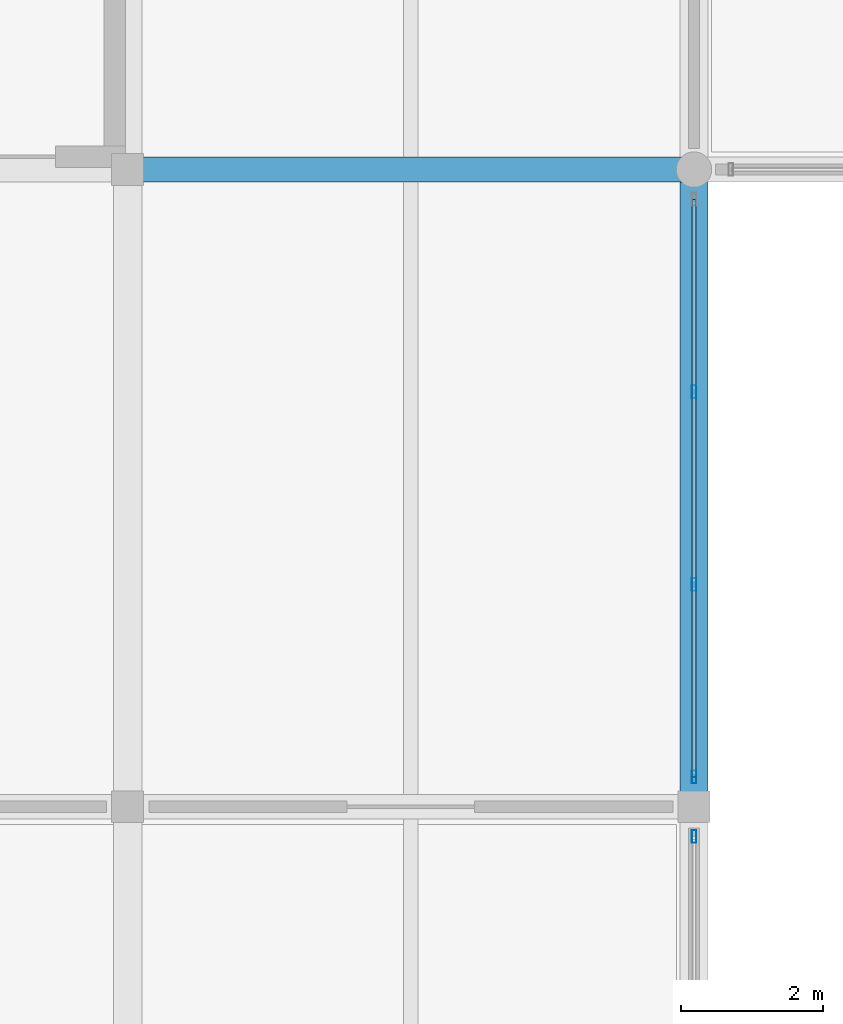
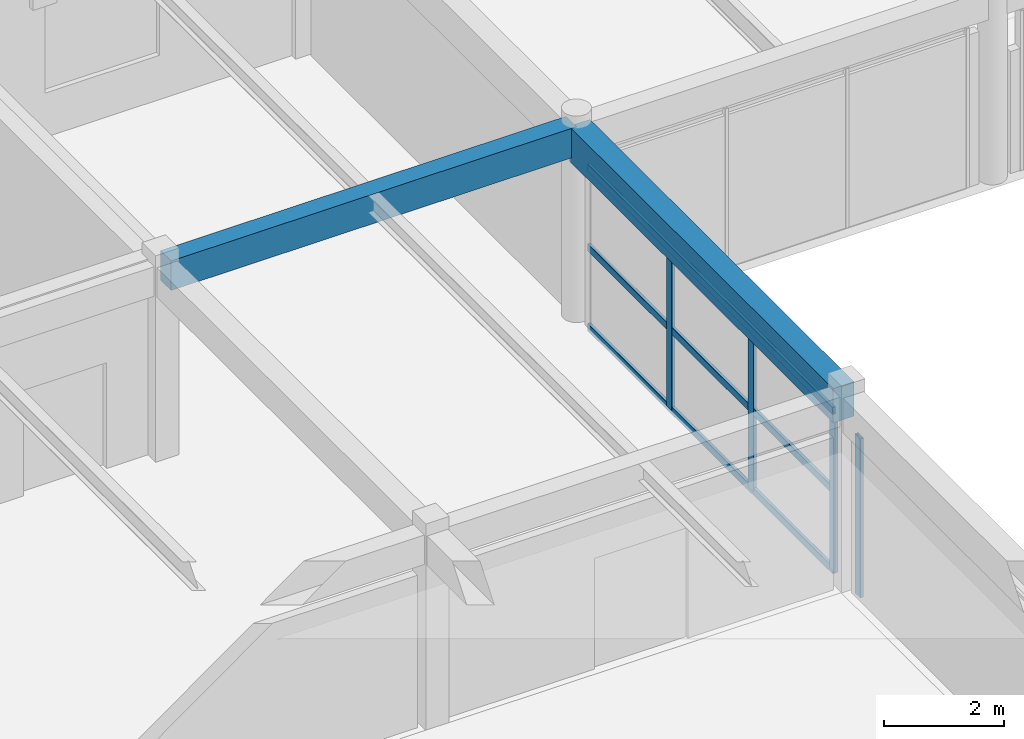
# One storey, part 53 of 126: 7 members, 2 beams, 2 elements without a shape of their own.
"""IFC4 building model written with IfcOpenShell, lengths in metres."""

from ifc_helpers import new_model, si_unit, direction, frame, origin, origin_2d, place, context, subcontext, project, spatial, rectangle, hollow_rectangle, extrude, material, material_profile, profile_set, type_object, element, aggregate, save


model = new_model("IFC4")

# Units and contexts
model_context = context("Model", 3, precision=1e-05, world=origin(), true_north=direction((0.0, 1.0)))
body_context = subcontext(model_context, "Body", "Model", "MODEL_VIEW")
ifc_project = project(units=[si_unit("LENGTHUNIT", "METRE"), si_unit("AREAUNIT", "SQUARE_METRE"), si_unit("VOLUMEUNIT", "CUBIC_METRE"), si_unit("PLANEANGLEUNIT", "RADIAN"), si_unit("MASSUNIT", "GRAM", prefix="KILO")], contexts=[model_context])

# Site, building, storey
site_placement = place(None, origin())
site = spatial("IfcSite", under=ifc_project, at=site_placement, CompositionType="ELEMENT")
building_placement = place(site_placement, origin())
building = spatial("IfcBuilding", under=site, at=building_placement, Name="Varnabhumi Central Station", CompositionType="ELEMENT")
storey_placement = place(building_placement, frame((0.0, 0.0, 16.199951171875)))
storey = spatial("IfcBuildingStorey", under=building, at=storey_placement, Name="L03", CompositionType="ELEMENT", Elevation=16.199951171875)

# Beams
ifc_material_1 = material(Name="Concrete M40", Category="concrete")
ifc_material_profile_1 = material_profile(ifc_material_1, rectangle(XDim=0.35009765625, YDim=0.60009765625, at=origin_2d()), Name="Concrete M40", Category="concrete")
ifc_profile_set_1 = profile_set([ifc_material_profile_1], Name="Concrete M40")
beam_type_1 = type_object("IfcBeamType", Name="BM-RC-350x600", PredefinedType="BEAM", material=ifc_profile_set_1)
beam_1_placement = place(storey_placement, frame((40.10009765625, 107.0, 3.650146484375), z_axis=(1.0, 0.0, 0.0), x_axis=(0.0, 1.0, 0.0)))
element("IfcBeam", 1, at=beam_1_placement, inside=storey, type_object=beam_type_1, Name="Beam L03-N:6-7", PredefinedType="BEAM", context=body_context, shape_type="SweptSolid", body=[
    extrude(rectangle(XDim=0.35009765625, YDim=0.60009765625, at=origin_2d()), origin(), (0.0, 0.0, 1.0), 7.7998046875),
])
ifc_material_profile_2 = material_profile(ifc_material_1, rectangle(XDim=0.39990234375, YDim=0.699951171875, at=origin_2d()), Name="Concrete M40", Category="concrete")
ifc_profile_set_2 = profile_set([ifc_material_profile_2], Name="Concrete M40")
beam_type_2 = type_object("IfcBeamType", Name="BM-RC-700x400", PredefinedType="BEAM", material=ifc_profile_set_2)
beam_2_placement = place(storey_placement, frame((48.0, 98.10009765625, 3.60009765625), z_axis=(0.0, 1.0, 0.0), x_axis=(-1.0, 0.0, 0.0)))
element("IfcBeam", 2, at=beam_2_placement, inside=storey, type_object=beam_type_2, Name="Beam L03-7:M-N", PredefinedType="BEAM", context=body_context, shape_type="SweptSolid", body=[
    extrude(rectangle(XDim=0.39990234375, YDim=0.699951171875, at=origin_2d()), origin(), (0.0, 0.0, 1.0), 8.7998046875),
])

# Curtain wall, member
ifc_material_2 = material(Name="Anodised aluminium 6063-T6", Category="aluminium")
curtain_wall_type = type_object("IfcCurtainWallType", Name="CW-PATIO-LOGGIA-L3", PredefinedType="NOTDEFINED", material=ifc_material_2)
curtain_wall_1_placement = place(storey_placement, origin())
curtain_wall_1 = element("IfcCurtainWall", 3, at=curtain_wall_1_placement, inside=storey, type_object=curtain_wall_type, Name="Curtain Wall CW-NP3E1", PredefinedType="NOTDEFINED")
ifc_material_profile_3 = material_profile(ifc_material_2, hollow_rectangle(XDim=0.06494140625, YDim=0.179931640625, WallThickness=0.00390625, InnerFilletRadius=0.001953125, OuterFilletRadius=0.006103515625, at=origin_2d()), Name="Anodised aluminium 6063-T6", Category="aluminium")
ifc_profile_set_3 = profile_set([ifc_material_profile_3], Name="Anodised aluminium 6063-T6")
member_type_1 = type_object("IfcMemberType", Name="CW-MUL-180", PredefinedType="MULLION", material=ifc_profile_set_3)
member_1_placement = place(storey_placement, frame((48.0, 97.580078125, 0.0), z_axis=(0.0, 0.0, 1.0), x_axis=(1.0, 0.0, 0.0)))
member_1 = element("IfcMember", 4, at=member_1_placement, type_object=member_type_1, Name="Curtain Wall Mullion CW-NP3E1-M4", PredefinedType="MULLION", context=body_context, shape_type="SweptSolid", body=[
    extrude(hollow_rectangle(XDim=0.06494140625, YDim=0.179931640625, WallThickness=0.00390625, InnerFilletRadius=0.001953125, OuterFilletRadius=0.006103515625, at=origin_2d()), origin(), (0.0, 0.0, 1.0), 3.239990234375),
])
aggregate(curtain_wall_1, [member_1])

# Curtain wall, members
curtain_wall_2_placement = place(storey_placement, origin())
curtain_wall_2 = element("IfcCurtainWall", 5, at=curtain_wall_2_placement, inside=storey, type_object=curtain_wall_type, Name="Curtain Wall CW-NP3E2", PredefinedType="NOTDEFINED")
member_2_placement = place(storey_placement, frame((48.0, 98.419921875, 0.0), z_axis=(0.0, 0.0, 1.0), x_axis=(1.0, 0.0, 0.0)))
member_2 = element("IfcMember", 6, at=member_2_placement, type_object=member_type_1, Name="Curtain Wall Mullion CW-NP3E2-M1", PredefinedType="MULLION", context=body_context, shape_type="SweptSolid", body=[
    extrude(hollow_rectangle(XDim=0.06494140625, YDim=0.179931640625, WallThickness=0.00390625, InnerFilletRadius=0.001953125, OuterFilletRadius=0.006103515625, at=origin_2d()), origin(), (0.0, 0.0, 1.0), 3.239990234375),
])
member_3_placement = place(storey_placement, frame((48.0, 101.139892578125, 0.0), z_axis=(0.0, 0.0, 1.0), x_axis=(1.0, 0.0, 0.0)))
member_3 = element("IfcMember", 7, at=member_3_placement, type_object=member_type_1, Name="Curtain Wall Mullion CW-NP3E2-M2", PredefinedType="MULLION", context=body_context, shape_type="SweptSolid", body=[
    extrude(hollow_rectangle(XDim=0.06494140625, YDim=0.179931640625, WallThickness=0.00390625, InnerFilletRadius=0.001953125, OuterFilletRadius=0.006103515625, at=origin_2d()), origin(), (0.0, 0.0, 1.0), 3.239990234375),
])
member_4_placement = place(storey_placement, frame((48.0, 103.860107421875, 0.0), z_axis=(0.0, 0.0, 1.0), x_axis=(1.0, 0.0, 0.0)))
member_4 = element("IfcMember", 8, at=member_4_placement, type_object=member_type_1, Name="Curtain Wall Mullion CW-NP3E2-M3", PredefinedType="MULLION", context=body_context, shape_type="SweptSolid", body=[
    extrude(hollow_rectangle(XDim=0.06494140625, YDim=0.179931640625, WallThickness=0.00390625, InnerFilletRadius=0.001953125, OuterFilletRadius=0.006103515625, at=origin_2d()), origin(), (0.0, 0.0, 1.0), 3.239990234375),
])
ifc_material_profile_4 = material_profile(ifc_material_2, hollow_rectangle(XDim=0.06005859375, YDim=0.14990234375, WallThickness=0.00390625, InnerFilletRadius=0.001953125, OuterFilletRadius=0.006103515625, at=origin_2d()), Name="Anodised aluminium 6063-T6", Category="aluminium")
ifc_profile_set_4 = profile_set([ifc_material_profile_4], Name="Anodised aluminium 6063-T6")
member_type_2 = type_object("IfcMemberType", Name="CW-TR-150", PredefinedType="USERDEFINED", material=ifc_profile_set_4)
member_5_placement = place(storey_placement, frame((48.0, 98.419921875, 0.0), z_axis=(0.0, 1.0, 0.0), x_axis=(-1.0, 0.0, 0.0)))
member_5 = element("IfcMember", 9, at=member_5_placement, type_object=member_type_2, Name="Curtain Wall Transom CW-NP3E2-T1", ObjectType="TRANSOM", PredefinedType="USERDEFINED", context=body_context, shape_type="SweptSolid", body=[
    extrude(hollow_rectangle(XDim=0.06005859375, YDim=0.14990234375, WallThickness=0.00390625, InnerFilletRadius=0.001953125, OuterFilletRadius=0.006103515625, at=origin_2d()), origin(), (0.0, 0.0, 1.0), 8.16015625),
])
member_6_placement = place(storey_placement, frame((48.0, 98.419921875, 1.6201171875), z_axis=(0.0, 1.0, 0.0), x_axis=(-1.0, 0.0, 0.0)))
member_6 = element("IfcMember", 10, at=member_6_placement, type_object=member_type_2, Name="Curtain Wall Transom CW-NP3E2-T2", ObjectType="TRANSOM", PredefinedType="USERDEFINED", context=body_context, shape_type="SweptSolid", body=[
    extrude(hollow_rectangle(XDim=0.06005859375, YDim=0.14990234375, WallThickness=0.00390625, InnerFilletRadius=0.001953125, OuterFilletRadius=0.006103515625, at=origin_2d()), origin(), (0.0, 0.0, 1.0), 8.16015625),
])
member_7_placement = place(storey_placement, frame((48.0, 98.419921875, 3.239990234375), z_axis=(0.0, 1.0, 0.0), x_axis=(-1.0, 0.0, 0.0)))
member_7 = element("IfcMember", 11, at=member_7_placement, type_object=member_type_2, Name="Curtain Wall Transom CW-NP3E2-T3", ObjectType="TRANSOM", PredefinedType="USERDEFINED", context=body_context, shape_type="SweptSolid", body=[
    extrude(hollow_rectangle(XDim=0.06005859375, YDim=0.14990234375, WallThickness=0.00390625, InnerFilletRadius=0.001953125, OuterFilletRadius=0.006103515625, at=origin_2d()), origin(), (0.0, 0.0, 1.0), 8.16015625),
])
aggregate(curtain_wall_2, [member_2, member_3, member_4, member_5, member_6, member_7])

save(model, "model.ifc")
